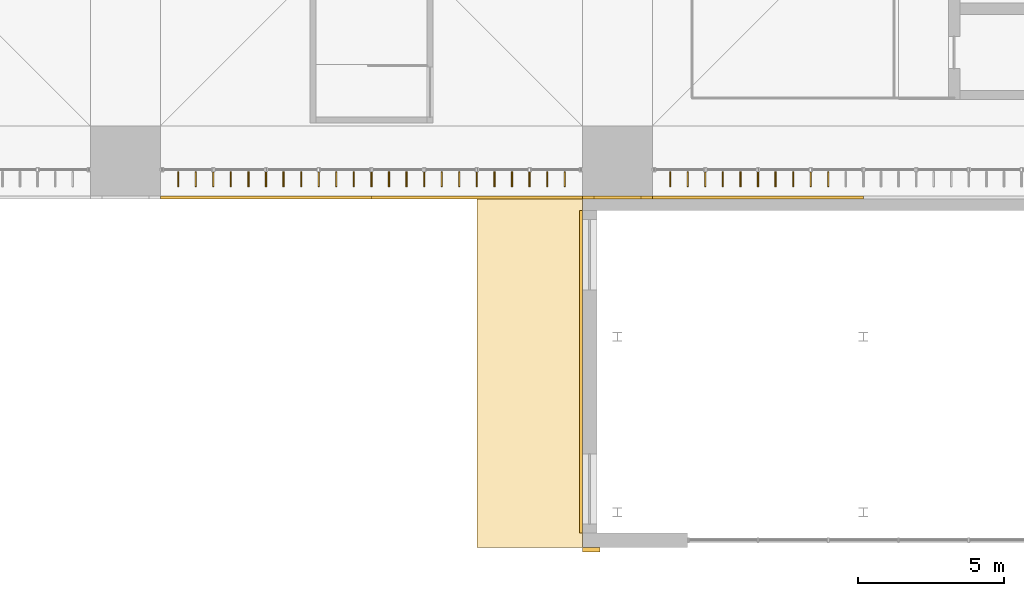
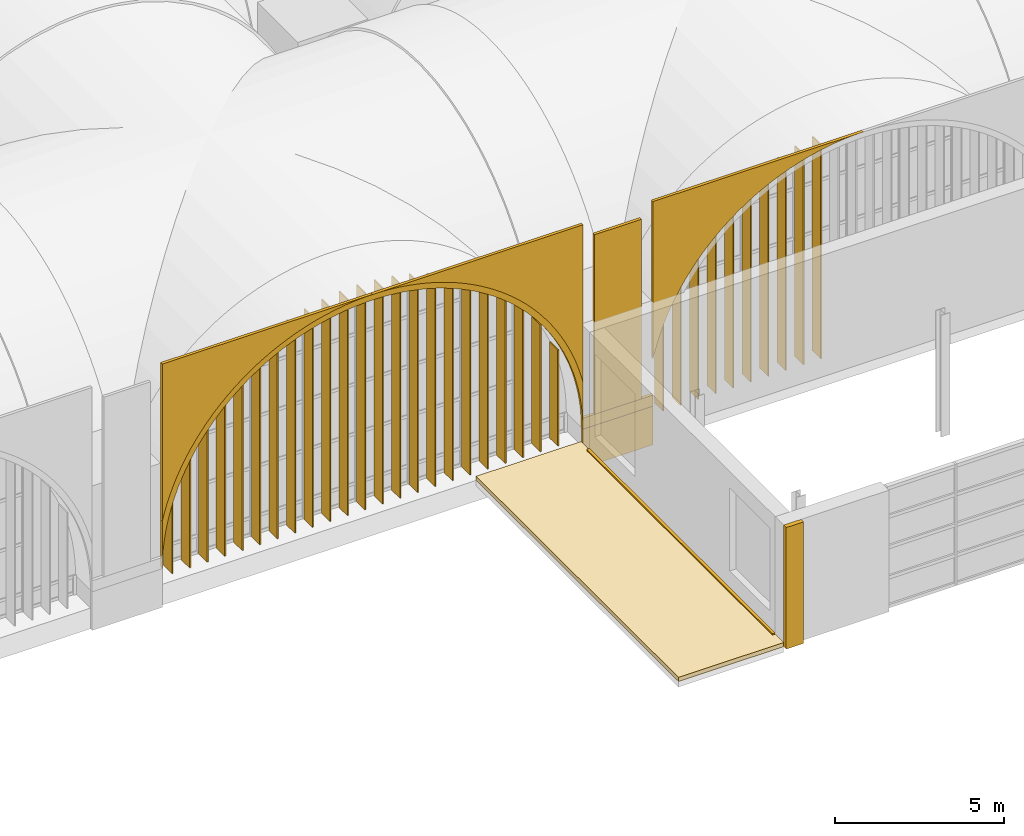
# One storey, part 153 of 169: 33 shading devices, 10 coverings.
"""IFC4 building model written with IfcOpenShell, lengths in metres."""

from ifc_helpers import new_model, si_unit, direction, frame, origin, origin_2d, place, context, subcontext, project, spatial, polyline, rectangle, outline, extrude, material, layer, layer_set, type_object, element, save


model = new_model("IFC4")

# Units and contexts
model_context = context("Model", 3, precision=1e-05, world=origin(), true_north=direction((0.0, 1.0)))
body_context = subcontext(model_context, "Body", "Model", "MODEL_VIEW")
ifc_project = project(units=[si_unit("LENGTHUNIT", "METRE"), si_unit("AREAUNIT", "SQUARE_METRE"), si_unit("VOLUMEUNIT", "CUBIC_METRE"), si_unit("PLANEANGLEUNIT", "RADIAN"), si_unit("MASSUNIT", "GRAM", prefix="KILO")], contexts=[model_context])

# Site, building, storey
site_placement = place(None, origin())
site = spatial("IfcSite", under=ifc_project, at=site_placement, CompositionType="ELEMENT")
building_placement = place(site_placement, origin())
building = spatial("IfcBuilding", under=site, at=building_placement, Name="Verrick Yard Athletic Hall", CompositionType="ELEMENT")
storey_placement = place(building_placement, frame((0.0, 0.0, 4.39990234375)))
storey = spatial("IfcBuildingStorey", under=building, at=storey_placement, Name="L01", CompositionType="ELEMENT", Elevation=4.39990234375)

# Shading devices
ifc_material_1 = material(Name="Anodised aluminium", Category="aluminium")
ifc_layer_1 = layer(ifc_material_1, 0.0400390625)
ifc_layer_set_1 = layer_set([ifc_layer_1], Name="Arcade fin")
shading_device_type = type_object("IfcShadingDeviceType", Name="Arcade fin", PredefinedType="USERDEFINED", material=ifc_layer_set_1)
shading_device_1_placement = place(storey_placement, frame((75.39990234375, 18.82373046875, 0.0), z_axis=(0.0, 0.0, 1.0), x_axis=(0.0, -1.0, 0.0)))
element("IfcShadingDevice", 1, at=shading_device_1_placement, inside=storey, type_object=shading_device_type, Name="Fin RS3.1", ObjectType="FIN", PredefinedType="USERDEFINED", context=body_context, shape_type="SweptSolid", body=[
    extrude(outline(polyline([(0.0, 0.0), (0.5, 0.0), (0.5, 3.4775390625), (0.0, 3.4775390625), (0.0, 0.0)])), frame((0.0, 0.02001953125, 0.0), z_axis=(0.0, -1.0, 0.0), x_axis=(1.0, 0.0, 0.0)), (0.0, 0.0, 1.0), 0.0400390625),
])
shading_device_2_placement = place(storey_placement, frame((76.0, 18.82373046875, 0.0), z_axis=(0.0, 0.0, 1.0), x_axis=(0.0, -1.0, 0.0)))
element("IfcShadingDevice", 2, at=shading_device_2_placement, inside=storey, type_object=shading_device_type, Name="Fin RS3.2", ObjectType="FIN", PredefinedType="USERDEFINED", context=body_context, shape_type="SweptSolid", body=[
    extrude(outline(polyline([(0.0, 0.0), (0.5, 0.0), (0.5, 4.5966796875), (0.0, 4.5966796875), (0.0, 0.0)])), frame((0.0, 0.02001953125, 0.0), z_axis=(0.0, -1.0, 0.0), x_axis=(1.0, 0.0, 0.0)), (0.0, 0.0, 1.0), 0.0400390625),
])
shading_device_3_placement = place(storey_placement, frame((76.60009765625, 18.82373046875, 0.0), z_axis=(0.0, 0.0, 1.0), x_axis=(0.0, -1.0, 0.0)))
element("IfcShadingDevice", 3, at=shading_device_3_placement, inside=storey, type_object=shading_device_type, Name="Fin RS3.3", ObjectType="FIN", PredefinedType="USERDEFINED", context=body_context, shape_type="SweptSolid", body=[
    extrude(outline(polyline([(0.0, 0.0), (0.5, 0.0), (0.5, 5.38671875), (0.0, 5.38671875), (0.0, 0.0)])), frame((0.0, 0.02001953125, 0.0), z_axis=(0.0, -1.0, 0.0), x_axis=(1.0, 0.0, 0.0)), (0.0, 0.0, 1.0), 0.0400390625),
])
shading_device_4_placement = place(storey_placement, frame((77.199951171875, 18.82373046875, 0.0), z_axis=(0.0, 0.0, 1.0), x_axis=(0.0, -1.0, 0.0)))
element("IfcShadingDevice", 4, at=shading_device_4_placement, inside=storey, type_object=shading_device_type, Name="Fin RS3.4", ObjectType="FIN", PredefinedType="USERDEFINED", context=body_context, shape_type="SweptSolid", body=[
    extrude(outline(polyline([(0.0, 0.0), (0.5, 0.0), (0.5, 5.996826171875), (0.0, 5.996826171875), (0.0, 0.0)])), frame((0.0, 0.02001953125, 0.0), z_axis=(0.0, -1.0, 0.0), x_axis=(1.0, 0.0, 0.0)), (0.0, 0.0, 1.0), 0.0400390625),
])
shading_device_5_placement = place(storey_placement, frame((77.800048828125, 18.82373046875, 0.0), z_axis=(0.0, 0.0, 1.0), x_axis=(0.0, -1.0, 0.0)))
element("IfcShadingDevice", 5, at=shading_device_5_placement, inside=storey, type_object=shading_device_type, Name="Fin RS3.5", ObjectType="FIN", PredefinedType="USERDEFINED", context=body_context, shape_type="SweptSolid", body=[
    extrude(outline(polyline([(0.0, 0.0), (0.5, 0.0), (0.5, 6.481201171875), (0.0, 6.481201171875), (0.0, 0.0)])), frame((0.0, 0.02001953125, 0.0), z_axis=(0.0, -1.0, 0.0), x_axis=(1.0, 0.0, 0.0)), (0.0, 0.0, 1.0), 0.0400390625),
])
shading_device_6_placement = place(storey_placement, frame((78.39990234375, 18.82373046875, 0.0), z_axis=(0.0, 0.0, 1.0), x_axis=(0.0, -1.0, 0.0)))
element("IfcShadingDevice", 6, at=shading_device_6_placement, inside=storey, type_object=shading_device_type, Name="Fin RS3.6", ObjectType="FIN", PredefinedType="USERDEFINED", context=body_context, shape_type="SweptSolid", body=[
    extrude(outline(polyline([(0.0, 0.0), (0.5, 0.0), (0.5, 6.872802734375), (0.0, 6.872802734375), (0.0, 0.0)])), frame((0.0, 0.02001953125, 0.0), z_axis=(0.0, -1.0, 0.0), x_axis=(1.0, 0.0, 0.0)), (0.0, 0.0, 1.0), 0.0400390625),
])
shading_device_7_placement = place(storey_placement, frame((79.0, 18.82373046875, 0.0), z_axis=(0.0, 0.0, 1.0), x_axis=(0.0, -1.0, 0.0)))
element("IfcShadingDevice", 7, at=shading_device_7_placement, inside=storey, type_object=shading_device_type, Name="Fin RS3.7", ObjectType="FIN", PredefinedType="USERDEFINED", context=body_context, shape_type="SweptSolid", body=[
    extrude(outline(polyline([(0.0, 0.0), (0.5, 0.0), (0.5, 7.18505859375), (0.0, 7.18505859375), (0.0, 0.0)])), frame((0.0, 0.02001953125, 0.0), z_axis=(0.0, -1.0, 0.0), x_axis=(1.0, 0.0, 0.0)), (0.0, 0.0, 1.0), 0.0400390625),
])
shading_device_8_placement = place(storey_placement, frame((79.60009765625, 18.82373046875, 0.0), z_axis=(0.0, 0.0, 1.0), x_axis=(0.0, -1.0, 0.0)))
element("IfcShadingDevice", 8, at=shading_device_8_placement, inside=storey, type_object=shading_device_type, Name="Fin RS3.8", ObjectType="FIN", PredefinedType="USERDEFINED", context=body_context, shape_type="SweptSolid", body=[
    extrude(outline(polyline([(0.0, 0.0), (0.5, 0.0), (0.5, 7.4296875), (0.0, 7.4296875), (0.0, 0.0)])), frame((0.0, 0.02001953125, 0.0), z_axis=(0.0, -1.0, 0.0), x_axis=(1.0, 0.0, 0.0)), (0.0, 0.0, 1.0), 0.0400390625),
])
shading_device_9_placement = place(storey_placement, frame((80.199951171875, 18.82373046875, 0.0), z_axis=(0.0, 0.0, 1.0), x_axis=(0.0, -1.0, 0.0)))
element("IfcShadingDevice", 9, at=shading_device_9_placement, inside=storey, type_object=shading_device_type, Name="Fin RS3.9", ObjectType="FIN", PredefinedType="USERDEFINED", context=body_context, shape_type="SweptSolid", body=[
    extrude(outline(polyline([(0.0, 0.0), (0.5, 0.0), (0.5, 7.614990234375), (0.0, 7.614990234375), (0.0, 0.0)])), frame((0.0, 0.02001953125, 0.0), z_axis=(0.0, -1.0, 0.0), x_axis=(1.0, 0.0, 0.0)), (0.0, 0.0, 1.0), 0.0400390625),
])
shading_device_10_placement = place(storey_placement, frame((80.800048828125, 18.82373046875, 0.0), z_axis=(0.0, 0.0, 1.0), x_axis=(0.0, -1.0, 0.0)))
element("IfcShadingDevice", 10, at=shading_device_10_placement, inside=storey, type_object=shading_device_type, Name="Fin RS3.10", ObjectType="FIN", PredefinedType="USERDEFINED", context=body_context, shape_type="SweptSolid", body=[
    extrude(outline(polyline([(0.0, 0.0), (0.5, 0.0), (0.5, 7.744873046875), (0.0, 7.744873046875), (0.0, 0.0)])), frame((0.0, 0.02001953125, 0.0), z_axis=(0.0, -1.0, 0.0), x_axis=(1.0, 0.0, 0.0)), (0.0, 0.0, 1.0), 0.0400390625),
])
shading_device_11_placement = place(storey_placement, frame((81.39990234375, 18.82373046875, 0.0), z_axis=(0.0, 0.0, 1.0), x_axis=(0.0, -1.0, 0.0)))
element("IfcShadingDevice", 11, at=shading_device_11_placement, inside=storey, type_object=shading_device_type, Name="Fin RS3.11", ObjectType="FIN", PredefinedType="USERDEFINED", context=body_context, shape_type="SweptSolid", body=[
    extrude(outline(polyline([(0.0, 0.0), (0.5, 0.0), (0.5, 7.82275390625), (0.0, 7.82275390625), (0.0, 0.0)])), frame((0.0, 0.02001953125, 0.0), z_axis=(0.0, -1.0, 0.0), x_axis=(1.0, 0.0, 0.0)), (0.0, 0.0, 1.0), 0.0400390625),
])
shading_device_12_placement = place(storey_placement, frame((82.0, 18.82373046875, 0.0), z_axis=(0.0, 0.0, 1.0), x_axis=(0.0, -1.0, 0.0)))
element("IfcShadingDevice", 12, at=shading_device_12_placement, inside=storey, type_object=shading_device_type, Name="Fin RS3.12", ObjectType="FIN", PredefinedType="USERDEFINED", context=body_context, shape_type="SweptSolid", body=[
    extrude(outline(polyline([(0.0, 0.0), (0.5, 0.0), (0.5, 7.84912109375), (0.0, 7.84912109375), (0.0, 0.0)])), frame((0.0, 0.02001953125, 0.0), z_axis=(0.0, -1.0, 0.0), x_axis=(1.0, 0.0, 0.0)), (0.0, 0.0, 1.0), 0.0400390625),
])
shading_device_13_placement = place(storey_placement, frame((82.60009765625, 18.82373046875, 0.0), z_axis=(0.0, 0.0, 1.0), x_axis=(0.0, -1.0, 0.0)))
element("IfcShadingDevice", 13, at=shading_device_13_placement, inside=storey, type_object=shading_device_type, Name="Fin RS3.13", ObjectType="FIN", PredefinedType="USERDEFINED", context=body_context, shape_type="SweptSolid", body=[
    extrude(outline(polyline([(0.0, 0.0), (0.5, 0.0), (0.5, 7.82275390625), (0.0, 7.82275390625), (0.0, 0.0)])), frame((0.0, 0.02001953125, 0.0), z_axis=(0.0, -1.0, 0.0), x_axis=(1.0, 0.0, 0.0)), (0.0, 0.0, 1.0), 0.0400390625),
])
shading_device_14_placement = place(storey_placement, frame((83.199951171875, 18.82373046875, 0.0), z_axis=(0.0, 0.0, 1.0), x_axis=(0.0, -1.0, 0.0)))
element("IfcShadingDevice", 14, at=shading_device_14_placement, inside=storey, type_object=shading_device_type, Name="Fin RS3.14", ObjectType="FIN", PredefinedType="USERDEFINED", context=body_context, shape_type="SweptSolid", body=[
    extrude(outline(polyline([(0.0, 0.0), (0.5, 0.0), (0.5, 7.744873046875), (0.0, 7.744873046875), (0.0, 0.0)])), frame((0.0, 0.02001953125, 0.0), z_axis=(0.0, -1.0, 0.0), x_axis=(1.0, 0.0, 0.0)), (0.0, 0.0, 1.0), 0.0400390625),
])
shading_device_15_placement = place(storey_placement, frame((83.800048828125, 18.82373046875, 0.0), z_axis=(0.0, 0.0, 1.0), x_axis=(0.0, -1.0, 0.0)))
element("IfcShadingDevice", 15, at=shading_device_15_placement, inside=storey, type_object=shading_device_type, Name="Fin RS3.15", ObjectType="FIN", PredefinedType="USERDEFINED", context=body_context, shape_type="SweptSolid", body=[
    extrude(outline(polyline([(0.0, 0.0), (0.5, 0.0), (0.5, 7.614990234375), (0.0, 7.614990234375), (0.0, 0.0)])), frame((0.0, 0.02001953125, 0.0), z_axis=(0.0, -1.0, 0.0), x_axis=(1.0, 0.0, 0.0)), (0.0, 0.0, 1.0), 0.0400390625),
])
shading_device_16_placement = place(storey_placement, frame((84.39990234375, 18.82373046875, 0.0), z_axis=(0.0, 0.0, 1.0), x_axis=(0.0, -1.0, 0.0)))
element("IfcShadingDevice", 16, at=shading_device_16_placement, inside=storey, type_object=shading_device_type, Name="Fin RS3.16", ObjectType="FIN", PredefinedType="USERDEFINED", context=body_context, shape_type="SweptSolid", body=[
    extrude(outline(polyline([(0.0, 0.0), (0.5, 0.0), (0.5, 7.4296875), (0.0, 7.4296875), (0.0, 0.0)])), frame((0.0, 0.02001953125, 0.0), z_axis=(0.0, -1.0, 0.0), x_axis=(1.0, 0.0, 0.0)), (0.0, 0.0, 1.0), 0.0400390625),
])
shading_device_17_placement = place(storey_placement, frame((85.0, 18.82373046875, 0.0), z_axis=(0.0, 0.0, 1.0), x_axis=(0.0, -1.0, 0.0)))
element("IfcShadingDevice", 17, at=shading_device_17_placement, inside=storey, type_object=shading_device_type, Name="Fin RS3.17", ObjectType="FIN", PredefinedType="USERDEFINED", context=body_context, shape_type="SweptSolid", body=[
    extrude(outline(polyline([(0.0, 0.0), (0.5, 0.0), (0.5, 7.18505859375), (0.0, 7.18505859375), (0.0, 0.0)])), frame((0.0, 0.02001953125, 0.0), z_axis=(0.0, -1.0, 0.0), x_axis=(1.0, 0.0, 0.0)), (0.0, 0.0, 1.0), 0.0400390625),
])
shading_device_18_placement = place(storey_placement, frame((85.60009765625, 18.82373046875, 0.0), z_axis=(0.0, 0.0, 1.0), x_axis=(0.0, -1.0, 0.0)))
element("IfcShadingDevice", 18, at=shading_device_18_placement, inside=storey, type_object=shading_device_type, Name="Fin RS3.18", ObjectType="FIN", PredefinedType="USERDEFINED", context=body_context, shape_type="SweptSolid", body=[
    extrude(outline(polyline([(0.0, 0.0), (0.5, 0.0), (0.5, 6.872802734375), (0.0, 6.872802734375), (0.0, 0.0)])), frame((0.0, 0.02001953125, 0.0), z_axis=(0.0, -1.0, 0.0), x_axis=(1.0, 0.0, 0.0)), (0.0, 0.0, 1.0), 0.0400390625),
])
shading_device_19_placement = place(storey_placement, frame((86.199951171875, 18.82373046875, 0.0), z_axis=(0.0, 0.0, 1.0), x_axis=(0.0, -1.0, 0.0)))
element("IfcShadingDevice", 19, at=shading_device_19_placement, inside=storey, type_object=shading_device_type, Name="Fin RS3.19", ObjectType="FIN", PredefinedType="USERDEFINED", context=body_context, shape_type="SweptSolid", body=[
    extrude(outline(polyline([(0.0, 0.0), (0.5, 0.0), (0.5, 6.481201171875), (0.0, 6.481201171875), (0.0, 0.0)])), frame((0.0, 0.02001953125, 0.0), z_axis=(0.0, -1.0, 0.0), x_axis=(1.0, 0.0, 0.0)), (0.0, 0.0, 1.0), 0.0400390625),
])
shading_device_20_placement = place(storey_placement, frame((86.800048828125, 18.82373046875, 0.0), z_axis=(0.0, 0.0, 1.0), x_axis=(0.0, -1.0, 0.0)))
element("IfcShadingDevice", 20, at=shading_device_20_placement, inside=storey, type_object=shading_device_type, Name="Fin RS3.20", ObjectType="FIN", PredefinedType="USERDEFINED", context=body_context, shape_type="SweptSolid", body=[
    extrude(outline(polyline([(0.0, 0.0), (0.5, 0.0), (0.5, 5.996826171875), (0.0, 5.996826171875), (0.0, 0.0)])), frame((0.0, 0.02001953125, 0.0), z_axis=(0.0, -1.0, 0.0), x_axis=(1.0, 0.0, 0.0)), (0.0, 0.0, 1.0), 0.0400390625),
])
shading_device_21_placement = place(storey_placement, frame((87.39990234375, 18.82373046875, 0.0), z_axis=(0.0, 0.0, 1.0), x_axis=(0.0, -1.0, 0.0)))
element("IfcShadingDevice", 21, at=shading_device_21_placement, inside=storey, type_object=shading_device_type, Name="Fin RS3.21", ObjectType="FIN", PredefinedType="USERDEFINED", context=body_context, shape_type="SweptSolid", body=[
    extrude(outline(polyline([(0.0, 0.0), (0.5, 0.0), (0.5, 5.38671875), (0.0, 5.38671875), (0.0, 0.0)])), frame((0.0, 0.02001953125, 0.0), z_axis=(0.0, -1.0, 0.0), x_axis=(1.0, 0.0, 0.0)), (0.0, 0.0, 1.0), 0.0400390625),
])
shading_device_22_placement = place(storey_placement, frame((88.0, 18.82373046875, 0.0), z_axis=(0.0, 0.0, 1.0), x_axis=(0.0, -1.0, 0.0)))
element("IfcShadingDevice", 22, at=shading_device_22_placement, inside=storey, type_object=shading_device_type, Name="Fin RS3.22", ObjectType="FIN", PredefinedType="USERDEFINED", context=body_context, shape_type="SweptSolid", body=[
    extrude(outline(polyline([(0.0, 0.0), (0.5, 0.0), (0.5, 4.5966796875), (0.0, 4.5966796875), (0.0, 0.0)])), frame((0.0, 0.02001953125, 0.0), z_axis=(0.0, -1.0, 0.0), x_axis=(1.0, 0.0, 0.0)), (0.0, 0.0, 1.0), 0.0400390625),
])
for number, where, z_axis, x_axis, name in (
    (23, (88.60009765625, 18.82373046875, 0.0), (0.0, 0.0, 1.0), (0.0, -1.0, 0.0), "Fin RS3.23"),
    (24, (92.199951171875, 18.82373046875, 0.0), (0.0, 0.0, 1.0), (0.0, -1.0, 0.0), "Fin RS4.1"),
):
    element("IfcShadingDevice", number, at=place(storey_placement, frame(where, z_axis=z_axis, x_axis=x_axis)), inside=storey, type_object=shading_device_type, Name=name, ObjectType="FIN", PredefinedType="USERDEFINED", context=body_context, shape_type="SweptSolid", body=[
        extrude(outline(polyline([(0.0, 0.0), (0.5, 0.0), (0.5, 3.4775390625), (0.0, 3.4775390625), (0.0, 0.0)])), frame((0.0, 0.02001953125, 0.0), z_axis=(0.0, -1.0, 0.0), x_axis=(1.0, 0.0, 0.0)), (0.0, 0.0, 1.0), 0.0400390625),
    ])
shading_device_23_placement = place(storey_placement, frame((92.800048828125, 18.82373046875, 0.0), z_axis=(0.0, 0.0, 1.0), x_axis=(0.0, -1.0, 0.0)))
element("IfcShadingDevice", 25, at=shading_device_23_placement, inside=storey, type_object=shading_device_type, Name="Fin RS4.2", ObjectType="FIN", PredefinedType="USERDEFINED", context=body_context, shape_type="SweptSolid", body=[
    extrude(outline(polyline([(0.0, 0.0), (0.5, 0.0), (0.5, 4.5966796875), (0.0, 4.5966796875), (0.0, 0.0)])), frame((0.0, 0.02001953125, 0.0), z_axis=(0.0, -1.0, 0.0), x_axis=(1.0, 0.0, 0.0)), (0.0, 0.0, 1.0), 0.0400390625),
])
shading_device_24_placement = place(storey_placement, frame((93.39990234375, 18.82373046875, 0.0), z_axis=(0.0, 0.0, 1.0), x_axis=(0.0, -1.0, 0.0)))
element("IfcShadingDevice", 26, at=shading_device_24_placement, inside=storey, type_object=shading_device_type, Name="Fin RS4.3", ObjectType="FIN", PredefinedType="USERDEFINED", context=body_context, shape_type="SweptSolid", body=[
    extrude(outline(polyline([(0.0, 0.0), (0.5, 0.0), (0.5, 5.38671875), (0.0, 5.38671875), (0.0, 0.0)])), frame((0.0, 0.02001953125, 0.0), z_axis=(0.0, -1.0, 0.0), x_axis=(1.0, 0.0, 0.0)), (0.0, 0.0, 1.0), 0.0400390625),
])
shading_device_25_placement = place(storey_placement, frame((94.0, 18.82373046875, 0.0), z_axis=(0.0, 0.0, 1.0), x_axis=(0.0, -1.0, 0.0)))
element("IfcShadingDevice", 27, at=shading_device_25_placement, inside=storey, type_object=shading_device_type, Name="Fin RS4.4", ObjectType="FIN", PredefinedType="USERDEFINED", context=body_context, shape_type="SweptSolid", body=[
    extrude(outline(polyline([(0.0, 0.0), (0.5, 0.0), (0.5, 5.996826171875), (0.0, 5.996826171875), (0.0, 0.0)])), frame((0.0, 0.02001953125, 0.0), z_axis=(0.0, -1.0, 0.0), x_axis=(1.0, 0.0, 0.0)), (0.0, 0.0, 1.0), 0.0400390625),
])
shading_device_26_placement = place(storey_placement, frame((94.60009765625, 18.82373046875, 0.0), z_axis=(0.0, 0.0, 1.0), x_axis=(0.0, -1.0, 0.0)))
element("IfcShadingDevice", 28, at=shading_device_26_placement, inside=storey, type_object=shading_device_type, Name="Fin RS4.5", ObjectType="FIN", PredefinedType="USERDEFINED", context=body_context, shape_type="SweptSolid", body=[
    extrude(outline(polyline([(0.0, 0.0), (0.5, 0.0), (0.5, 6.481201171875), (0.0, 6.481201171875), (0.0, 0.0)])), frame((0.0, 0.02001953125, 0.0), z_axis=(0.0, -1.0, 0.0), x_axis=(1.0, 0.0, 0.0)), (0.0, 0.0, 1.0), 0.0400390625),
])
shading_device_27_placement = place(storey_placement, frame((95.199951171875, 18.82373046875, 0.0), z_axis=(0.0, 0.0, 1.0), x_axis=(0.0, -1.0, 0.0)))
element("IfcShadingDevice", 29, at=shading_device_27_placement, inside=storey, type_object=shading_device_type, Name="Fin RS4.6", ObjectType="FIN", PredefinedType="USERDEFINED", context=body_context, shape_type="SweptSolid", body=[
    extrude(outline(polyline([(0.0, 0.0), (0.5, 0.0), (0.5, 6.872802734375), (0.0, 6.872802734375), (0.0, 0.0)])), frame((0.0, 0.02001953125, 0.0), z_axis=(0.0, -1.0, 0.0), x_axis=(1.0, 0.0, 0.0)), (0.0, 0.0, 1.0), 0.0400390625),
])
shading_device_28_placement = place(storey_placement, frame((95.800048828125, 18.82373046875, 0.0), z_axis=(0.0, 0.0, 1.0), x_axis=(0.0, -1.0, 0.0)))
element("IfcShadingDevice", 30, at=shading_device_28_placement, inside=storey, type_object=shading_device_type, Name="Fin RS4.7", ObjectType="FIN", PredefinedType="USERDEFINED", context=body_context, shape_type="SweptSolid", body=[
    extrude(outline(polyline([(0.0, 0.0), (0.5, 0.0), (0.5, 7.18505859375), (0.0, 7.18505859375), (0.0, 0.0)])), frame((0.0, 0.02001953125, 0.0), z_axis=(0.0, -1.0, 0.0), x_axis=(1.0, 0.0, 0.0)), (0.0, 0.0, 1.0), 0.0400390625),
])
shading_device_29_placement = place(storey_placement, frame((96.39990234375, 18.82373046875, 0.0), z_axis=(0.0, 0.0, 1.0), x_axis=(0.0, -1.0, 0.0)))
element("IfcShadingDevice", 31, at=shading_device_29_placement, inside=storey, type_object=shading_device_type, Name="Fin RS4.8", ObjectType="FIN", PredefinedType="USERDEFINED", context=body_context, shape_type="SweptSolid", body=[
    extrude(outline(polyline([(0.0, 0.0), (0.5, 0.0), (0.5, 7.4296875), (0.0, 7.4296875), (0.0, 0.0)])), frame((0.0, 0.02001953125, 0.0), z_axis=(0.0, -1.0, 0.0), x_axis=(1.0, 0.0, 0.0)), (0.0, 0.0, 1.0), 0.0400390625),
])
shading_device_30_placement = place(storey_placement, frame((97.0, 18.82373046875, 0.0), z_axis=(0.0, 0.0, 1.0), x_axis=(0.0, -1.0, 0.0)))
element("IfcShadingDevice", 32, at=shading_device_30_placement, inside=storey, type_object=shading_device_type, Name="Fin RS4.9", ObjectType="FIN", PredefinedType="USERDEFINED", context=body_context, shape_type="SweptSolid", body=[
    extrude(outline(polyline([(0.0, 0.0), (0.5, 0.0), (0.5, 7.614990234375), (0.0, 7.614990234375), (0.0, 0.0)])), frame((0.0, 0.02001953125, 0.0), z_axis=(0.0, -1.0, 0.0), x_axis=(1.0, 0.0, 0.0)), (0.0, 0.0, 1.0), 0.0400390625),
])
shading_device_31_placement = place(storey_placement, frame((97.60009765625, 18.82373046875, 0.0), z_axis=(0.0, 0.0, 1.0), x_axis=(0.0, -1.0, 0.0)))
element("IfcShadingDevice", 33, at=shading_device_31_placement, inside=storey, type_object=shading_device_type, Name="Fin RS4.10", ObjectType="FIN", PredefinedType="USERDEFINED", context=body_context, shape_type="SweptSolid", body=[
    extrude(outline(polyline([(0.0, 0.0), (0.5, 0.0), (0.5, 7.744873046875), (0.0, 7.744873046875), (0.0, 0.0)])), frame((0.0, 0.02001953125, 0.0), z_axis=(0.0, -1.0, 0.0), x_axis=(1.0, 0.0, 0.0)), (0.0, 0.0, 1.0), 0.0400390625),
])

# Coverings
ifc_material_2 = material(Name="Limestone cladding", Category="masonry")
ifc_layer_2 = layer(ifc_material_2, 0.10009765625)
ifc_layer_set_2 = layer_set([ifc_layer_2], Name="Arch ring cladding")
covering_type_1 = type_object("IfcCoveringType", Name="Arch ring cladding", PredefinedType="CLADDING", material=ifc_layer_set_2)
covering_1_placement = place(storey_placement, frame((74.800048828125, 17.949951171875, 0.650146484375), z_axis=(0.0, 0.0, 1.0), x_axis=(1.0, 0.0, 0.0)))
element("IfcCovering", 34, at=covering_1_placement, inside=storey, type_object=covering_type_1, Name="Arch ring RS3", PredefinedType="CLADDING", context=body_context, shape_type="SweptSolid", body=[
    extrude(outline(polyline([(0.0, 1.7021484375), (0.0, 0.0), (0.0068359375, 0.31396484375), (0.02734375, 0.62744140625), (0.0615234375, 0.939697265625), (0.109375, 1.250244140625), (0.170654296875, 1.558349609375), (0.245361328125, 1.863525390625), (0.333251953125, 2.1650390625), (0.43408203125, 2.46240234375), (0.548095703125, 2.75537109375), (0.674560546875, 3.04296875), (0.8134765625, 3.324462890625), (0.964599609375, 3.599853515625), (1.127685546875, 3.86865234375), (1.302001953125, 4.129638671875), (1.48779296875, 4.383056640625), (1.6845703125, 4.6279296875), (1.8916015625, 4.8642578125), (2.10888671875, 5.091064453125), (2.335693359375, 5.308349609375), (2.572021484375, 5.515380859375), (2.81689453125, 5.712158203125), (3.0703125, 5.89794921875), (3.331298828125, 6.072265625), (3.60009765625, 6.2353515625), (3.87548828125, 6.386474609375), (4.156982421875, 6.525390625), (4.444580078125, 6.65185546875), (4.737548828125, 6.765869140625), (5.034912109375, 6.86669921875), (5.33642578125, 6.95458984375), (5.6416015625, 7.029296875), (5.94970703125, 7.090576171875), (6.26025390625, 7.138427734375), (6.572509765625, 7.172607421875), (6.885986328125, 7.193115234375), (7.199951171875, 7.199951171875), (7.51416015625, 7.193115234375), (7.827392578125, 7.172607421875), (8.139892578125, 7.138427734375), (8.4501953125, 7.090576171875), (8.75830078125, 7.029296875), (9.0634765625, 6.95458984375), (9.364990234375, 6.86669921875), (9.66259765625, 6.765869140625), (9.955322265625, 6.65185546875), (10.242919921875, 6.525390625), (10.524658203125, 6.386474609375), (10.800048828125, 6.2353515625), (11.068603515625, 6.072265625), (11.329833984375, 5.89794921875), (11.5830078125, 5.712158203125), (11.828125, 5.515380859375), (12.064208984375, 5.308349609375), (12.291259765625, 5.091064453125), (12.50830078125, 4.8642578125), (12.715576171875, 4.6279296875), (12.912109375, 4.383056640625), (13.097900390625, 4.129638671875), (13.2724609375, 3.86865234375), (13.435302734375, 3.599853515625), (13.58642578125, 3.324462890625), (13.725341796875, 3.04296875), (13.851806640625, 2.75537109375), (13.9658203125, 2.46240234375), (14.06689453125, 2.1650390625), (14.15478515625, 1.863525390625), (14.229248046875, 1.558349609375), (14.29052734375, 1.250244140625), (14.33837890625, 0.939697265625), (14.37255859375, 0.62744140625), (14.39306640625, 0.31396484375), (14.39990234375, 0.0), (14.39990234375, 1.7021484375), (14.347900390625, 1.915283203125), (14.257568359375, 2.22509765625), (14.15380859375, 2.53076171875), (14.03662109375, 2.831787109375), (13.90673828125, 3.12744140625), (13.763916015625, 3.416748046875), (13.608642578125, 3.699951171875), (13.441162109375, 3.975830078125), (13.26171875, 4.244384765625), (13.07080078125, 4.504638671875), (12.86865234375, 4.756591796875), (12.656005859375, 4.999267578125), (12.4326171875, 5.232666015625), (12.199462890625, 5.455810546875), (11.95654296875, 5.668701171875), (11.704833984375, 5.870849609375), (11.444580078125, 6.061767578125), (11.176025390625, 6.240966796875), (10.89990234375, 6.408447265625), (10.616943359375, 6.56396484375), (10.327392578125, 6.70654296875), (10.031982421875, 6.836669921875), (9.73095703125, 6.95361328125), (9.42529296875, 7.057373046875), (9.115234375, 7.14794921875), (8.8017578125, 7.224609375), (8.485107421875, 7.28759765625), (8.166015625, 7.336669921875), (7.844970703125, 7.371826171875), (7.522705078125, 7.39306640625), (7.199951171875, 7.39990234375), (6.877197265625, 7.39306640625), (6.554931640625, 7.371826171875), (6.234130859375, 7.336669921875), (5.9150390625, 7.28759765625), (5.598388671875, 7.224609375), (5.28466796875, 7.14794921875), (4.974853515625, 7.057373046875), (4.669189453125, 6.95361328125), (4.3681640625, 6.836669921875), (4.072509765625, 6.70654296875), (3.783203125, 6.56396484375), (3.5, 6.408447265625), (3.22412109375, 6.240966796875), (2.95556640625, 6.061767578125), (2.6953125, 5.870849609375), (2.443359375, 5.668701171875), (2.20068359375, 5.455810546875), (1.96728515625, 5.232666015625), (1.744140625, 4.999267578125), (1.53125, 4.756591796875), (1.3291015625, 4.504638671875), (1.13818359375, 4.244384765625), (0.958984375, 3.975830078125), (0.79150390625, 3.699951171875), (0.635986328125, 3.416748046875), (0.493408203125, 3.12744140625), (0.36328125, 2.831787109375), (0.246337890625, 2.53076171875), (0.142578125, 2.22509765625), (0.052001953125, 1.915283203125), (0.0, 1.7021484375)])), frame((0.0, 0.050048828125, 0.0), z_axis=(0.0, -1.0, 0.0), x_axis=(1.0, 0.0, 0.0)), (0.0, 0.0, 1.0), 0.10009765625),
])
ifc_material_3 = material(Name="Planted growing medium")
ifc_layer_3 = layer(ifc_material_3, 0.300048828125)
ifc_layer_set_3 = layer_set([ifc_layer_3], Name="Green roof soil")
covering_type_2 = type_object("IfcCoveringType", Name="Green roof soil", PredefinedType="FLOORING", material=ifc_layer_set_3)
covering_2_placement = place(storey_placement, origin())
element("IfcCovering", 35, at=covering_2_placement, inside=storey, type_object=covering_type_2, Name="Lean-to green roof W", PredefinedType="FLOORING", context=body_context, shape_type="SweptSolid", body=[
    extrude(outline(polyline([(85.60009765625, 6.0), (89.199951171875, 6.0), (89.199951171875, 18.0), (85.60009765625, 18.0), (85.60009765625, 6.0)])), origin(), (0.0, 0.0, 1.0), 0.150146484375),
])
ifc_layer_4 = layer(ifc_material_2, 0.10009765625)
ifc_layer_set_4 = layer_set([ifc_layer_4], Name="Impost and capital moulding")
covering_type_3 = type_object("IfcCoveringType", Name="Impost and capital moulding", PredefinedType="MOLDING", material=ifc_layer_set_4)
covering_3_placement = place(storey_placement, frame((90.39990234375, 17.949951171875, 0.650146484375), z_axis=(0.0, 0.0, 1.0), x_axis=(1.0, 0.0, 0.0)))
element("IfcCovering", 36, at=covering_3_placement, inside=storey, type_object=covering_type_3, Name="Impost S4", PredefinedType="MOLDING", context=body_context, shape_type="SweptSolid", body=[
    extrude(rectangle(XDim=2.39990234375, YDim=0.10009765625, at=origin_2d()), origin(), (0.0, 0.0, 1.0), 0.39990234375),
])
ifc_material_4 = material(Name="Rusticated limestone cladding", Category="masonry")
ifc_layer_5 = layer(ifc_material_4, 0.10009765625)
ifc_layer_set_5 = layer_set([ifc_layer_5], Name="Pier base cladding")
covering_type_4 = type_object("IfcCoveringType", Name="Pier base cladding", PredefinedType="CLADDING", material=ifc_layer_set_5)
covering_4_placement = place(storey_placement, frame((90.39990234375, 17.949951171875, -0.749755859375), z_axis=(0.0, 0.0, 1.0), x_axis=(1.0, 0.0, 0.0)))
element("IfcCovering", 37, at=covering_4_placement, inside=storey, type_object=covering_type_4, Name="Pier string S4", PredefinedType="CLADDING", context=body_context, shape_type="SweptSolid", body=[
    extrude(rectangle(XDim=2.39990234375, YDim=0.10009765625, at=origin_2d()), origin(), (0.0, 0.0, 1.0), 1.39990234375),
])
ifc_layer_6 = layer(ifc_material_2, 0.10009765625)
ifc_layer_set_6 = layer_set([ifc_layer_6], Name="Pilaster cladding")
covering_type_5 = type_object("IfcCoveringType", Name="Pilaster cladding", PredefinedType="CLADDING", material=ifc_layer_set_6)
covering_5_placement = place(storey_placement, frame((90.39990234375, 17.949951171875, 1.050048828125), z_axis=(0.0, 0.0, 1.0), x_axis=(1.0, 0.0, 0.0)))
element("IfcCovering", 38, at=covering_5_placement, inside=storey, type_object=covering_type_5, Name="Pilaster S4", PredefinedType="CLADDING", context=body_context, shape_type="SweptSolid", body=[
    extrude(rectangle(XDim=1.60009765625, YDim=0.10009765625, at=origin_2d()), origin(), (0.0, 0.0, 1.0), 6.5),
])
ifc_layer_7 = layer(ifc_material_2, 0.10009765625)
ifc_layer_set_7 = layer_set([ifc_layer_7], Name="Spandrel cladding")
covering_type_6 = type_object("IfcCoveringType", Name="Spandrel cladding", PredefinedType="CLADDING", material=ifc_layer_set_7)
covering_6_placement = place(storey_placement, frame((74.800048828125, 17.949951171875, 2.352294921875), z_axis=(0.0, 0.0, 1.0), x_axis=(1.0, 0.0, 0.0)))
element("IfcCovering", 39, at=covering_6_placement, inside=storey, type_object=covering_type_6, Name="Spandrel RS3.1", PredefinedType="CLADDING", context=body_context, shape_type="SweptSolid", body=[
    extrude(outline(polyline([(0.0, 0.0), (0.052001953125, 0.213134765625), (0.142578125, 0.52294921875), (0.246337890625, 0.82861328125), (0.36328125, 1.129638671875), (0.493408203125, 1.42529296875), (0.635986328125, 1.714599609375), (0.79150390625, 1.997802734375), (0.958984375, 2.273681640625), (1.13818359375, 2.542236328125), (1.3291015625, 2.802490234375), (1.53125, 3.054443359375), (1.744140625, 3.297119140625), (1.96728515625, 3.530517578125), (2.20068359375, 3.753662109375), (2.443359375, 3.966552734375), (2.6953125, 4.168701171875), (2.95556640625, 4.359619140625), (3.22412109375, 4.538818359375), (3.5, 4.706298828125), (3.783203125, 4.86181640625), (4.072509765625, 5.00439453125), (4.3681640625, 5.134521484375), (4.669189453125, 5.25146484375), (4.974853515625, 5.355224609375), (5.28466796875, 5.44580078125), (5.598388671875, 5.5224609375), (5.9150390625, 5.58544921875), (6.234130859375, 5.634521484375), (6.554931640625, 5.669677734375), (6.877197265625, 5.69091796875), (7.199951171875, 5.69775390625), (0.0, 5.69775390625), (0.0, 0.0)])), frame((0.0, 0.050048828125, 0.0), z_axis=(0.0, -1.0, 0.0), x_axis=(1.0, 0.0, 0.0)), (0.0, 0.0, 1.0), 0.10009765625),
])
covering_7_placement = place(storey_placement, frame((74.800048828125, 17.949951171875, 2.352294921875), z_axis=(0.0, 0.0, 1.0), x_axis=(1.0, 0.0, 0.0)))
element("IfcCovering", 40, at=covering_7_placement, inside=storey, type_object=covering_type_6, Name="Spandrel RS3.2", PredefinedType="CLADDING", context=body_context, shape_type="SweptSolid", body=[
    extrude(outline(polyline([(7.199951171875, 5.69775390625), (7.522705078125, 5.69091796875), (7.844970703125, 5.669677734375), (8.166015625, 5.634521484375), (8.485107421875, 5.58544921875), (8.8017578125, 5.5224609375), (9.115234375, 5.44580078125), (9.42529296875, 5.355224609375), (9.73095703125, 5.25146484375), (10.031982421875, 5.134521484375), (10.327392578125, 5.00439453125), (10.616943359375, 4.86181640625), (10.89990234375, 4.706298828125), (11.176025390625, 4.538818359375), (11.444580078125, 4.359619140625), (11.704833984375, 4.168701171875), (11.95654296875, 3.966552734375), (12.199462890625, 3.753662109375), (12.4326171875, 3.530517578125), (12.656005859375, 3.297119140625), (12.86865234375, 3.054443359375), (13.07080078125, 2.802490234375), (13.26171875, 2.542236328125), (13.441162109375, 2.273681640625), (13.608642578125, 1.997802734375), (13.763916015625, 1.714599609375), (13.90673828125, 1.42529296875), (14.03662109375, 1.129638671875), (14.15380859375, 0.82861328125), (14.257568359375, 0.52294921875), (14.347900390625, 0.213134765625), (14.39990234375, 0.0), (14.39990234375, 5.69775390625), (7.199951171875, 5.69775390625)])), frame((0.0, 0.050048828125, 0.0), z_axis=(0.0, -1.0, 0.0), x_axis=(1.0, 0.0, 0.0)), (0.0, 0.0, 1.0), 0.10009765625),
])
covering_8_placement = place(storey_placement, frame((91.60009765625, 17.949951171875, 2.352294921875), z_axis=(0.0, 0.0, 1.0), x_axis=(1.0, 0.0, 0.0)))
element("IfcCovering", 41, at=covering_8_placement, inside=storey, type_object=covering_type_6, Name="Spandrel RS4.1", PredefinedType="CLADDING", context=body_context, shape_type="SweptSolid", body=[
    extrude(outline(polyline([(0.0, 0.0), (0.052001953125, 0.213134765625), (0.142578125, 0.52294921875), (0.246337890625, 0.82861328125), (0.36328125, 1.129638671875), (0.493408203125, 1.42529296875), (0.635986328125, 1.714599609375), (0.79150390625, 1.997802734375), (0.958984375, 2.273681640625), (1.13818359375, 2.542236328125), (1.3291015625, 2.802490234375), (1.53125, 3.054443359375), (1.744140625, 3.297119140625), (1.96728515625, 3.530517578125), (2.20068359375, 3.753662109375), (2.443359375, 3.966552734375), (2.6953125, 4.168701171875), (2.95556640625, 4.359619140625), (3.22412109375, 4.538818359375), (3.5, 4.706298828125), (3.783203125, 4.86181640625), (4.072509765625, 5.00439453125), (4.3681640625, 5.134521484375), (4.669189453125, 5.25146484375), (4.974853515625, 5.355224609375), (5.28466796875, 5.44580078125), (5.598388671875, 5.5224609375), (5.9150390625, 5.58544921875), (6.234130859375, 5.634521484375), (6.554931640625, 5.669677734375), (6.877197265625, 5.69091796875), (7.199951171875, 5.69775390625), (0.0, 5.69775390625), (0.0, 0.0)])), frame((0.0, 0.050048828125, 0.0), z_axis=(0.0, -1.0, 0.0), x_axis=(1.0, 0.0, 0.0)), (0.0, 0.0, 1.0), 0.10009765625),
])
ifc_material_5 = material(Name="Tyndall-stone-look precast cladding", Category="masonry")
ifc_layer_8 = layer(ifc_material_5, 0.125)
ifc_layer_set_8 = layer_set([ifc_layer_8], Name="Stone cladding")
covering_type_7 = type_object("IfcCoveringType", Name="Stone cladding", PredefinedType="CLADDING", material=ifc_layer_set_8)
covering_9_placement = place(storey_placement, frame((89.5, 5.925048828125, 0.000244140625), z_axis=(0.0, 0.0, 1.0), x_axis=(1.0, 0.0, 0.0)))
element("IfcCovering", 42, at=covering_9_placement, inside=storey, type_object=covering_type_7, Name="Foyer giant pilaster", PredefinedType="CLADDING", context=body_context, shape_type="SweptSolid", body=[
    extrude(rectangle(XDim=0.60009765625, YDim=0.14990234375, at=origin_2d()), origin(), (0.0, 0.0, 1.0), 4.39990234375),
])
ifc_layer_9 = layer(ifc_material_5, 0.25)
ifc_layer_set_9 = layer_set([ifc_layer_9], Name="Stone moulding")
covering_type_8 = type_object("IfcCoveringType", Name="Stone moulding", PredefinedType="MOLDING", material=ifc_layer_set_9)
covering_10_placement = place(storey_placement, frame((89.14990234375, 12.0, -0.0498046875), z_axis=(0.0, 0.0, 1.0), x_axis=(0.0, 1.0, 0.0)))
element("IfcCovering", 43, at=covering_10_placement, inside=storey, type_object=covering_type_8, Name="String course", PredefinedType="MOLDING", context=body_context, shape_type="SweptSolid", body=[
    extrude(rectangle(XDim=11.0, YDim=0.10009765625, at=origin_2d()), origin(), (0.0, 0.0, 1.0), 0.25),
])

save(model, "model.ifc")
